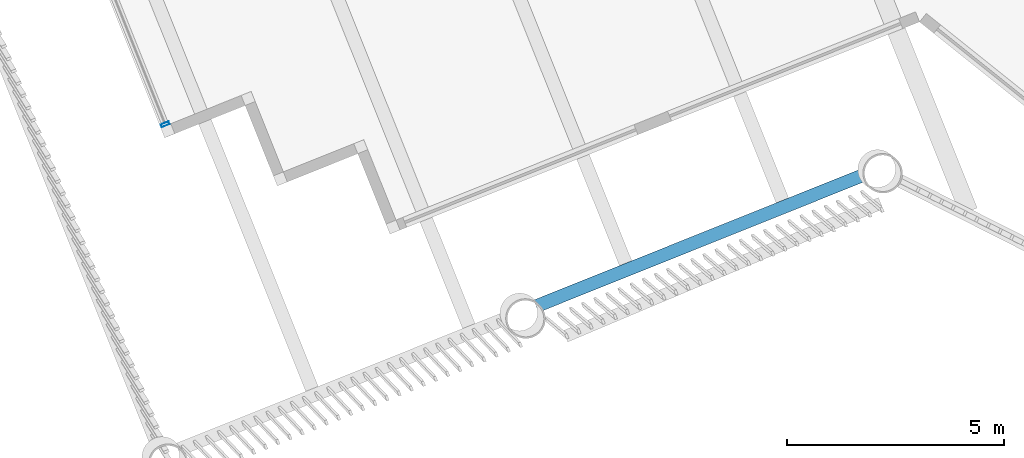
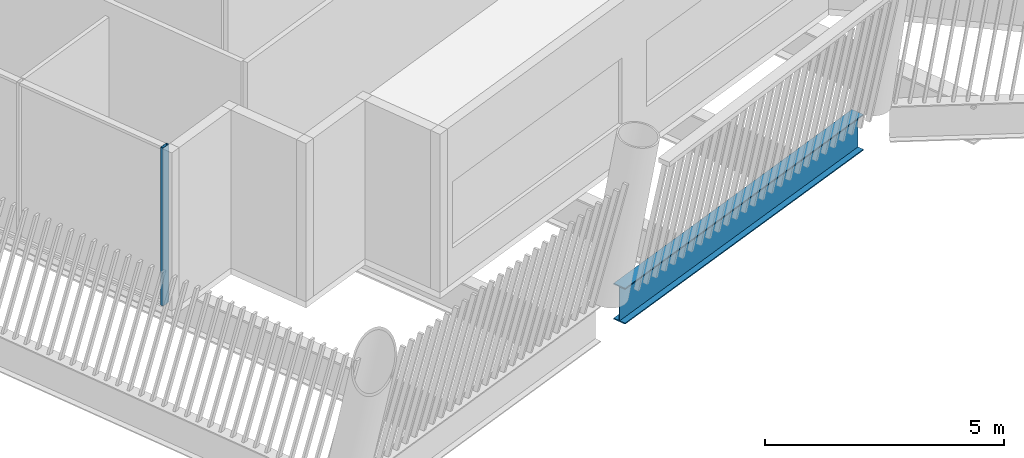
# One storey, part 2 of 27: 1 beam, 1 member, 1 element without a shape of its own.
"""IFC4 building model written with IfcOpenShell, lengths in metres."""

from ifc_helpers import new_model, si_unit, direction, frame, origin, origin_2d, place, context, subcontext, project, spatial, hollow_rectangle, i_section, extrude, material, layer, layer_set, material_profile, profile_set, type_object, element, aggregate, save


model = new_model("IFC4")

# Units and contexts
model_context = context("Model", 3, precision=1e-05, world=origin(), true_north=direction((0.0, 1.0)))
body_context = subcontext(model_context, "Body", "Model", "MODEL_VIEW")
ifc_project = project(units=[si_unit("LENGTHUNIT", "METRE"), si_unit("AREAUNIT", "SQUARE_METRE"), si_unit("VOLUMEUNIT", "CUBIC_METRE"), si_unit("PLANEANGLEUNIT", "RADIAN"), si_unit("MASSUNIT", "GRAM", prefix="KILO")], contexts=[model_context])

# Site, building, storey
site_placement = place(None, origin())
site = spatial("IfcSite", under=ifc_project, at=site_placement, CompositionType="ELEMENT")
building_placement = place(site_placement, origin())
building = spatial("IfcBuilding", under=site, at=building_placement, Name="Tarsis Ring Headquarters", CompositionType="ELEMENT")
storey_placement = place(building_placement, frame((0.0, 0.0, 373.39990234375)))
storey = spatial("IfcBuildingStorey", under=building, at=storey_placement, Name="L88", CompositionType="ELEMENT", Elevation=373.39990234375)

# Curtain wall, member
ifc_material_1 = material(Name="Aluminium curtain wall", Category="aluminium")
ifc_layer = layer(ifc_material_1, 0.199951171875)
ifc_layer_set = layer_set([ifc_layer], Name="Curtain wall executive tip")
curtain_wall_type = type_object("IfcCurtainWallType", Name="Curtain wall executive tip", PredefinedType="NOTDEFINED", material=ifc_layer_set)
curtain_wall_placement = place(storey_placement, origin())
curtain_wall = element("IfcCurtainWall", 1, at=curtain_wall_placement, inside=storey, type_object=curtain_wall_type, Name="Curtain wall L88-36", PredefinedType="NOTDEFINED")
ifc_material_2 = material(Name="Aluminium mullion", Category="aluminium")
ifc_material_profile_1 = material_profile(ifc_material_2, hollow_rectangle(XDim=0.199951171875, YDim=0.070068359375, WallThickness=0.0048828125, at=origin_2d()), Name="RHS 200x70x5")
ifc_profile_set_1 = profile_set([ifc_material_profile_1], Name="Aluminium mullion")
member_type = type_object("IfcMemberType", Name="Curtain wall mullion executive tip RHS 200x70x5", PredefinedType="MULLION", material=ifc_profile_set_1)
member_placement = place(storey_placement, frame((-34.142822265625, -21.995361328125, 0.0), z_axis=(0.0, 0.0, 1.0), x_axis=(0.928226340133, 0.372015942513, 0.0)))
member = element("IfcMember", 2, at=member_placement, type_object=member_type, Name="CW-E mullion 5", PredefinedType="MULLION", context=body_context, shape_type="SweptSolid", body=[
    extrude(hollow_rectangle(XDim=0.199951171875, YDim=0.070068359375, WallThickness=0.0048828125, at=origin_2d()), origin(), (0.0, 0.0, 1.0), 4.0400390625),
])
aggregate(curtain_wall, [member])

# Beam
ifc_material_3 = material(Name="Structural steel S355", Category="steel")
ifc_material_profile_2 = material_profile(ifc_material_3, i_section(OverallWidth=0.3046875, OverallDepth=0.91943359375, WebThickness=0.017333984375, FlangeThickness=0.02783203125, at=origin_2d()), Name="W36x170")
ifc_profile_set_2 = profile_set([ifc_material_profile_2], Name="Structural steel S355")
beam_type = type_object("IfcBeamType", Name="XG Ring girder W36x170", PredefinedType="BEAM", material=ifc_profile_set_2)
beam_placement = place(storey_placement, frame((-25.576904296875, -26.195068359375, -0.459716796875), z_axis=(0.928224307971, 0.372021012971, 0.0), x_axis=(-0.372021012971, 0.928224307971, 0.0)))
element("IfcBeam", 3, at=beam_placement, inside=storey, type_object=beam_type, Name="Ring girder XG4", PredefinedType="BEAM", context=body_context, shape_type="SweptSolid", body=[
    extrude(i_section(OverallWidth=0.3046875, OverallDepth=0.91943359375, WebThickness=0.017333984375, FlangeThickness=0.02783203125, at=origin_2d()), origin(), (0.0, 0.0, 1.0), 8.0791015625),
])

save(model, "model.ifc")
